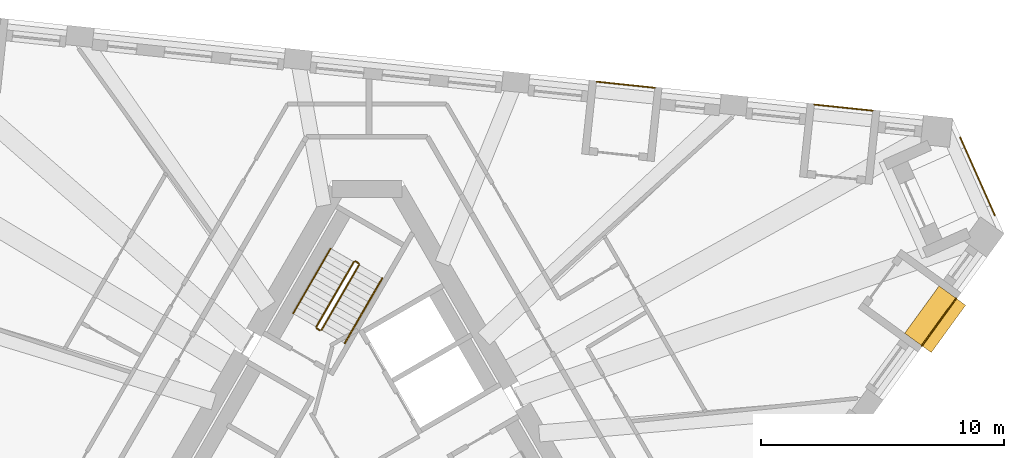
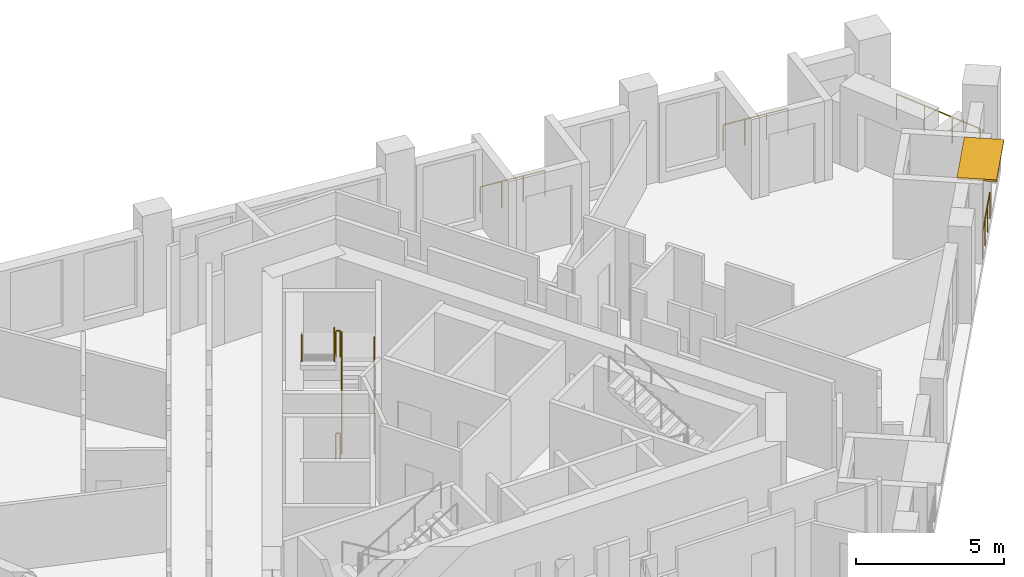
# One storey, part 11 of 11: 10 railings, 1 shading device.
"""IFC4 building model written with IfcOpenShell, lengths in metres."""

from ifc_helpers import new_model, si_unit, direction, frame, origin, origin_2d, place, context, subcontext, project, spatial, rectangle, circle, extrude, material, layer, layer_set, type_object, element, save


model = new_model("IFC4")

# Units and contexts
model_context = context("Model", 3, precision=1e-05, world=origin(), true_north=direction((0.0, 1.0)))
body_context = subcontext(model_context, "Body", "Model", "MODEL_VIEW")
ifc_project = project(units=[si_unit("LENGTHUNIT", "METRE"), si_unit("AREAUNIT", "SQUARE_METRE"), si_unit("VOLUMEUNIT", "CUBIC_METRE"), si_unit("PLANEANGLEUNIT", "RADIAN"), si_unit("MASSUNIT", "GRAM", prefix="KILO")], contexts=[model_context])

# Site, building, storey
site_placement = place(None, origin())
site = spatial("IfcSite", under=ifc_project, at=site_placement, CompositionType="ELEMENT")
building_placement = place(site_placement, origin())
building = spatial("IfcBuilding", under=site, at=building_placement, Name="Tramontana Tower", CompositionType="ELEMENT")
storey_placement = place(building_placement, frame((0.0, 0.0, 241.199951171875)))
storey = spatial("IfcBuildingStorey", under=building, at=storey_placement, Name="L56", CompositionType="ELEMENT", Elevation=241.199951171875)

# Railings
ifc_material_1 = material(Name="Laminated glass balustrade", Category="glass")
railing_type_1 = type_object("IfcRailingType", Name="GD1 Loggia glass balustrade 1100", PredefinedType="BALUSTRADE", material=ifc_material_1)
railing_1_placement = place(storey_placement, frame((22.802001953125, 4.21435546875, 0.0)))
element("IfcRailing", 1, at=railing_1_placement, inside=storey, type_object=railing_type_1, Name="Loggia balustrade L56 G6S1.13", PredefinedType="BALUSTRADE", context=body_context, shape_type="SweptSolid", body=[
    extrude(circle(Radius=0.02392578125, at=origin_2d()), frame((0.0, 0.0, 1.076171875), z_axis=(0.587718396543, 0.8090655637, 0.0), x_axis=(-0.8090655637, 0.587718396543, 0.0)), (0.0, 0.0, 1.0), 2.40234375),
    extrude(circle(Radius=0.02099609375, at=origin_2d()), origin(), (0.0, 0.0, 1.0), 1.052001953125),
    extrude(circle(Radius=0.02099609375, at=origin_2d()), frame((0.470703125, 0.64794921875, 0.0)), (0.0, 0.0, 1.0), 1.052001953125),
    extrude(circle(Radius=0.02099609375, at=origin_2d()), frame((0.941162109375, 1.295654296875, 0.0)), (0.0, 0.0, 1.0), 1.052001953125),
    extrude(circle(Radius=0.02099609375, at=origin_2d()), frame((1.411865234375, 1.943603515625, 0.0)), (0.0, 0.0, 1.0), 1.052001953125),
])
for number, where, name in (
    (2, (20.778564453125, 13.8740234375, 0.0), "Loggia balustrade L56 G6S2.1"),
    (3, (11.8212890625, 14.8154296875, 0.0), "Loggia balustrade L56 G6S2.4"),
):
    element("IfcRailing", number, at=place(storey_placement, frame(where)), inside=storey, type_object=railing_type_1, Name=name, PredefinedType="BALUSTRADE", context=body_context, shape_type="SweptSolid", body=[
        extrude(circle(Radius=0.02392578125, at=origin_2d()), frame((0.0, 0.0, 1.076171875), z_axis=(-0.994517140727, 0.104573690763, 0.0), x_axis=(-0.104573690763, -0.994517140727, 0.0)), (0.0, 0.0, 1.0), 2.40234375),
        extrude(circle(Radius=0.02099609375, at=origin_2d()), origin(), (0.0, 0.0, 1.0), 1.052001953125),
        extrude(circle(Radius=0.02099609375, at=origin_2d()), frame((-0.79638671875, 0.083740234375, 0.0)), (0.0, 0.0, 1.0), 1.052001953125),
        extrude(circle(Radius=0.02099609375, at=origin_2d()), frame((-1.5927734375, 0.16748046875, 0.0)), (0.0, 0.0, 1.0), 1.052001953125),
        extrude(circle(Radius=0.02099609375, at=origin_2d()), frame((-2.38916015625, 0.251220703125, 0.0)), (0.0, 0.0, 1.0), 1.052001953125),
    ])
railing_2_placement = place(storey_placement, frame((24.38330078125, 12.771728515625, 0.0)))
element("IfcRailing", 4, at=railing_2_placement, inside=storey, type_object=railing_type_1, Name="Corner loggia balustrade L56 K62", PredefinedType="BALUSTRADE", context=body_context, shape_type="SweptSolid", body=[
    extrude(circle(Radius=0.02392578125, at=origin_2d()), frame((0.0, 0.0, 1.076171875), z_axis=(0.406753242783, -0.913538066796, 0.0), x_axis=(0.913538066796, 0.406753242783, 0.0)), (0.0, 0.0, 1.0), 3.499755859375),
    extrude(circle(Radius=0.02099609375, at=origin_2d()), origin(), (0.0, 0.0, 1.0), 1.052001953125),
    extrude(circle(Radius=0.02099609375, at=origin_2d()), frame((0.474609375, -1.065673828125, 0.0)), (0.0, 0.0, 1.0), 1.052001953125),
    extrude(circle(Radius=0.02099609375, at=origin_2d()), frame((0.948974609375, -2.131591796875, 0.0)), (0.0, 0.0, 1.0), 1.052001953125),
    extrude(circle(Radius=0.02099609375, at=origin_2d()), frame((1.423583984375, -3.197265625, 0.0)), (0.0, 0.0, 1.0), 1.052001953125),
])

# Shading device
ifc_material_2 = material(Name="Precast concrete 60 MPa", Category="concrete")
ifc_layer = layer(ifc_material_2, 0.080078125)
ifc_layer_set = layer_set([ifc_layer], Name="SS3 Stone sunshade blade 80")
shading_device_type = type_object("IfcShadingDeviceType", Name="SS3 Stone sunshade blade 80", PredefinedType="USERDEFINED", material=ifc_layer_set)
shading_device_placement = place(storey_placement, frame((23.35009765625, 5.30078125, 3.219970703125), z_axis=(0.0, 0.0, 1.0), x_axis=(0.587785252292, 0.809016994375, 0.0)))
element("IfcShadingDevice", 5, at=shading_device_placement, inside=storey, type_object=shading_device_type, Name="Sunshade L56 G6S1.13", ObjectType="SUNSHADE", PredefinedType="USERDEFINED", context=body_context, shape_type="SweptSolid", body=[
    extrude(rectangle(XDim=2.402099609375, YDim=1.35009765625, at=origin_2d()), origin(), (0.0, 0.0, 1.0), 0.080078125),
])

# Railings
ifc_material_3 = material(Name="Painted steel", Category="steel")
railing_type_2 = type_object("IfcRailingType", Name="STAIR GUARD 1100", PredefinedType="GUARDRAIL", material=ifc_material_3)
railing_3_placement = place(storey_placement, frame((-1.867431640625, 4.865478515625, 0.166748046875)))
element("IfcRailing", 6, at=railing_3_placement, inside=storey, type_object=railing_type_2, Name="L56 ST1 stair guard 1", PredefinedType="GUARDRAIL", context=body_context, shape_type="SweptSolid", body=[
    extrude(circle(Radius=0.02392578125, at=origin_2d()), frame((0.0, 0.0, 1.076171875), z_axis=(0.429649414936, 0.744189839504, 0.511451721109), x_axis=(-0.866029832698, 0.499992328818, 0.0)), (0.0, 0.0, 1.0), 3.58447265625),
    extrude(circle(Radius=0.02099609375, at=origin_2d()), origin(), (0.0, 0.0, 1.0), 1.052001953125),
    extrude(circle(Radius=0.02099609375, at=origin_2d()), frame((0.513427734375, 0.88916015625, 0.611083984375)), (0.0, 0.0, 1.0), 1.052001953125),
    extrude(circle(Radius=0.02099609375, at=origin_2d()), frame((1.026611328125, 1.7783203125, 1.22216796875)), (0.0, 0.0, 1.0), 1.052001953125),
    extrude(circle(Radius=0.02099609375, at=origin_2d()), frame((1.5400390625, 2.66748046875, 1.833251953125)), (0.0, 0.0, 1.0), 1.052001953125),
])
railing_4_placement = place(storey_placement, frame((-0.5439453125, 7.657958984375, 2.166748046875)))
element("IfcRailing", 7, at=railing_4_placement, inside=storey, type_object=railing_type_2, Name="L56 ST1 stair guard 2", PredefinedType="GUARDRAIL", context=body_context, shape_type="SweptSolid", body=[
    extrude(circle(Radius=0.02392578125, at=origin_2d()), frame((0.0, 0.0, 1.076171875), z_axis=(-0.429649414936, -0.744189839504, 0.511451721109), x_axis=(0.866029832698, -0.499992328818, 0.0)), (0.0, 0.0, 1.0), 3.58447265625),
    extrude(circle(Radius=0.02099609375, at=origin_2d()), origin(), (0.0, 0.0, 1.0), 1.052001953125),
    extrude(circle(Radius=0.02099609375, at=origin_2d()), frame((-0.513427734375, -0.88916015625, 0.611083984375)), (0.0, 0.0, 1.0), 1.052001953125),
    extrude(circle(Radius=0.02099609375, at=origin_2d()), frame((-1.026611328125, -1.7783203125, 1.22216796875)), (0.0, 0.0, 1.0), 1.052001953125),
    extrude(circle(Radius=0.02099609375, at=origin_2d()), frame((-1.5400390625, -2.66748046875, 1.833251953125)), (0.0, 0.0, 1.0), 1.052001953125),
])
railing_5_placement = place(storey_placement, frame((-0.345703125, 7.601318359375, 2.0)))
element("IfcRailing", 8, at=railing_5_placement, inside=storey, type_object=railing_type_2, Name="L56 ST1 stair guard 3", PredefinedType="GUARDRAIL", context=body_context, shape_type="SweptSolid", body=[
    extrude(circle(Radius=0.02392578125, at=origin_2d()), frame((0.0, 0.0, 1.076171875), z_axis=(-0.866131372301, 0.499816412211, 0.0), x_axis=(-0.499816412211, -0.866131372301, 0.0)), (0.0, 0.0, 1.0), 0.14990234375),
    extrude(circle(Radius=0.02099609375, at=origin_2d()), origin(), (0.0, 0.0, 1.0), 1.052001953125),
    extrude(circle(Radius=0.02099609375, at=origin_2d()), frame((-0.1298828125, 0.074951171875, 0.0)), (0.0, 0.0, 1.0), 1.052001953125),
])
railing_6_placement = place(storey_placement, frame((-1.935791015625, 4.84716796875, 0.0)))
element("IfcRailing", 9, at=railing_6_placement, inside=storey, type_object=railing_type_2, Name="L56 ST1 stair guard 4", PredefinedType="GUARDRAIL", context=body_context, shape_type="SweptSolid", body=[
    extrude(circle(Radius=0.02392578125, at=origin_2d()), frame((0.0, 0.0, 1.076171875), z_axis=(-0.865426285481, 0.501036270542, 0.0), x_axis=(-0.501036270542, -0.865426285481, 0.0)), (0.0, 0.0, 1.0), 0.150146484375),
    extrude(circle(Radius=0.02099609375, at=origin_2d()), origin(), (0.0, 0.0, 1.0), 1.052001953125),
    extrude(circle(Radius=0.02099609375, at=origin_2d()), frame((-0.1298828125, 0.0751953125, 0.0)), (0.0, 0.0, 1.0), 1.052001953125),
])
ifc_material_4 = material(Name="Painted steel", Category="steel")
railing_type_3 = type_object("IfcRailingType", Name="STAIR HANDRAIL 900", PredefinedType="HANDRAIL", material=ifc_material_4)
railing_7_placement = place(storey_placement, frame((-0.914794921875, 4.315673828125, 0.166748046875)))
element("IfcRailing", 10, at=railing_7_placement, inside=storey, type_object=railing_type_3, Name="L56 ST1 stair handrail 1", PredefinedType="HANDRAIL", context=body_context, shape_type="SweptSolid", body=[
    extrude(circle(Radius=0.02392578125, at=origin_2d()), frame((0.0, 0.0, 0.8759765625), z_axis=(0.429671193721, 0.744159446956, 0.511477646425), x_axis=(-0.866010015463, 0.500026652407, 0.0)), (0.0, 0.0, 1.0), 3.584228515625),
    extrude(circle(Radius=0.02099609375, at=origin_2d()), origin(), (0.0, 0.0, 1.0), 0.851806640625),
    extrude(circle(Radius=0.02099609375, at=origin_2d()), frame((0.513427734375, 0.88916015625, 0.611083984375)), (0.0, 0.0, 1.0), 0.851806640625),
    extrude(circle(Radius=0.02099609375, at=origin_2d()), frame((1.026611328125, 1.778076171875, 1.22216796875)), (0.0, 0.0, 1.0), 0.851806640625),
    extrude(circle(Radius=0.02099609375, at=origin_2d()), frame((1.5400390625, 2.667236328125, 1.833251953125)), (0.0, 0.0, 1.0), 0.851806640625),
])
railing_8_placement = place(storey_placement, frame((-1.49658203125, 8.2080078125, 2.166748046875)))
element("IfcRailing", 11, at=railing_8_placement, inside=storey, type_object=railing_type_3, Name="L56 ST1 stair handrail 2", PredefinedType="HANDRAIL", context=body_context, shape_type="SweptSolid", body=[
    extrude(circle(Radius=0.02392578125, at=origin_2d()), frame((0.0, 0.0, 0.8759765625), z_axis=(-0.429649414936, -0.744189839504, 0.511451721109), x_axis=(0.866029832698, -0.499992328818, 0.0)), (0.0, 0.0, 1.0), 3.58447265625),
    extrude(circle(Radius=0.02099609375, at=origin_2d()), origin(), (0.0, 0.0, 1.0), 0.851806640625),
    extrude(circle(Radius=0.02099609375, at=origin_2d()), frame((-0.513427734375, -0.88916015625, 0.611083984375)), (0.0, 0.0, 1.0), 0.851806640625),
    extrude(circle(Radius=0.02099609375, at=origin_2d()), frame((-1.026611328125, -1.7783203125, 1.22216796875)), (0.0, 0.0, 1.0), 0.851806640625),
    extrude(circle(Radius=0.02099609375, at=origin_2d()), frame((-1.5400390625, -2.66748046875, 1.833251953125)), (0.0, 0.0, 1.0), 0.851806640625),
])

save(model, "model.ifc")
